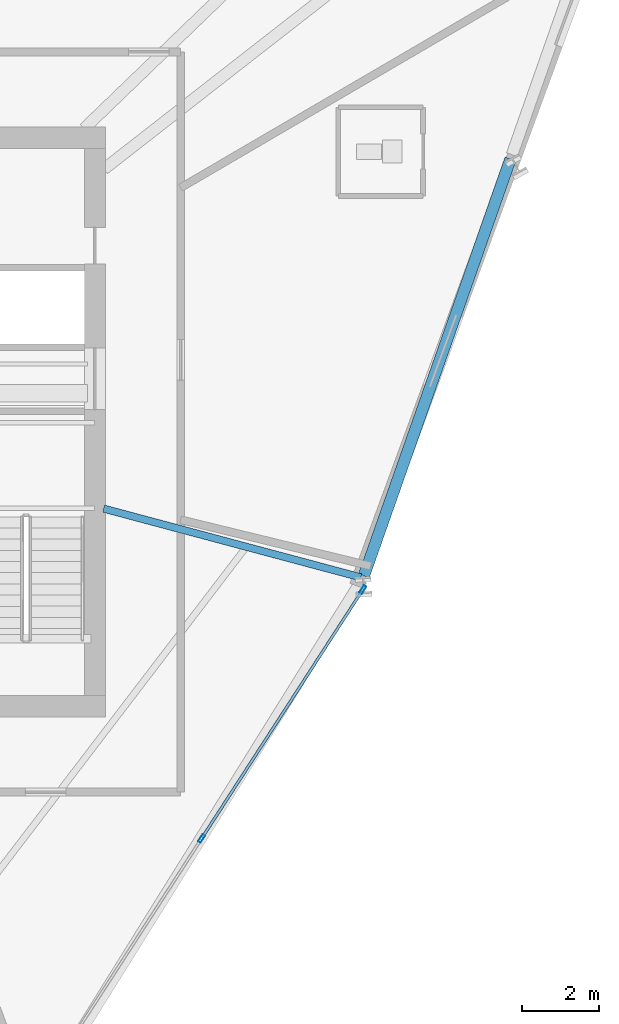
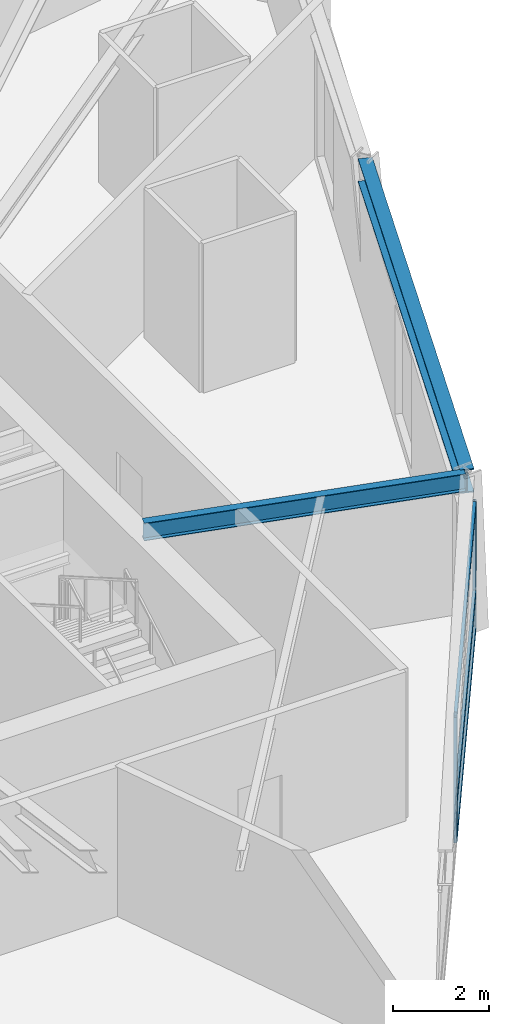
# One storey, part 5 of 14: 5 members, 2 beams, 1 element without a shape of its own.
"""IFC4 building model written with IfcOpenShell, lengths in metres."""

from ifc_helpers import new_model, si_unit, direction, frame, origin, origin_2d, place, context, subcontext, project, spatial, hollow_rectangle, i_section, extrude, source, transform, mapped, material, material_profile, profile_set, type_object, element, aggregate, save


model = new_model("IFC4")

# Units and contexts
model_context = context("Model", 3, precision=1e-05, world=origin(), true_north=direction((0.0, 1.0)))
body_context = subcontext(model_context, "Body", "Model", "MODEL_VIEW")
ifc_project = project(units=[si_unit("LENGTHUNIT", "METRE"), si_unit("AREAUNIT", "SQUARE_METRE"), si_unit("VOLUMEUNIT", "CUBIC_METRE"), si_unit("PLANEANGLEUNIT", "RADIAN"), si_unit("MASSUNIT", "GRAM", prefix="KILO")], contexts=[model_context])

# Site, building, storey
site_placement = place(None, origin())
site = spatial("IfcSite", under=ifc_project, at=site_placement, CompositionType="ELEMENT")
building_placement = place(site_placement, origin())
building = spatial("IfcBuilding", under=site, at=building_placement, Name="Olszyna Solenne Hotel", CompositionType="ELEMENT")
storey_placement = place(building_placement, frame((0.0, 0.0, 196.300048828125)))
storey = spatial("IfcBuildingStorey", under=building, at=storey_placement, Name="L52", CompositionType="ELEMENT", Elevation=196.300048828125)

# Beams
ifc_material_1 = material(Name="Steel S355J2", Category="steel")
ifc_material_profile_1 = material_profile(ifc_material_1, i_section(OverallWidth=0.300048828125, OverallDepth=0.60009765625, WebThickness=0.015380859375, FlangeThickness=0.030029296875, at=origin_2d()), Name="HEB 600", Category="load-bearing")
ifc_profile_set_1 = profile_set([ifc_material_profile_1], Name="Steel S355J2")
beam_type_1 = type_object("IfcBeamType", Name="BM-S2", PredefinedType="BEAM", material=ifc_profile_set_1)
shared_shape_1 = source(origin(), body_context, "Body", "SweptSolid", [
    extrude(i_section(OverallWidth=0.300048828125, OverallDepth=0.60009765625, WebThickness=0.015380859375, FlangeThickness=0.030029296875, at=origin_2d()), origin(), (0.0, 0.0, 1.0), 11.461181640625),
])
beam_1_placement = place(storey_placement, frame((53.154296875, 22.609130859375, 3.47998046875), z_axis=(0.331790374275, 0.943353140419, 0.0), x_axis=(-0.943353140419, 0.331790374275, 0.0)))
element("IfcBeam", 1, at=beam_1_placement, inside=storey, type_object=beam_type_1, Name="Perimeter spandrel beam BM-S2 B-L52-1548", PredefinedType="BEAM", context=body_context, shape_type="MappedRepresentation", body=[
    mapped(shared_shape_1, transform((0.0, 0.0, 0.0), x_axis=(1.0, 0.0, 0.0), y_axis=(0.0, 1.0, 0.0), z_axis=(0.0, 0.0, 1.0), scale=1.0)),
])
ifc_material_profile_2 = material_profile(ifc_material_1, i_section(OverallWidth=0.18994140625, OverallDepth=0.449951171875, WebThickness=0.009521484375, FlangeThickness=0.0146484375, at=origin_2d()), Name="IPE 450", Category="load-bearing")
ifc_profile_set_2 = profile_set([ifc_material_profile_2], Name="Steel S355J2")
beam_type_2 = type_object("IfcBeamType", Name="BM-F4", PredefinedType="BEAM", material=ifc_profile_set_2)
shared_shape_2 = source(origin(), body_context, "Body", "SweptSolid", [
    extrude(i_section(OverallWidth=0.18994140625, OverallDepth=0.449951171875, WebThickness=0.009521484375, FlangeThickness=0.0146484375, at=origin_2d()), origin(), (0.0, 0.0, 1.0), 6.909423828125),
])
beam_2_placement = place(storey_placement, frame((53.076416015625, 22.568115234375, 3.554931640625), z_axis=(-0.966055833063, 0.258333364869, 0.0), x_axis=(-0.258333364869, -0.966055833063, 0.0)))
element("IfcBeam", 2, at=beam_2_placement, inside=storey, type_object=beam_type_2, Name="Radial floor girder BM-F4 B-L52-1557", PredefinedType="BEAM", context=body_context, shape_type="MappedRepresentation", body=[
    mapped(shared_shape_2, transform((0.0, 0.0, 0.0), x_axis=(1.0, 0.0, 0.0), y_axis=(0.0, 1.0, 0.0), z_axis=(0.0, 0.0, 1.0), scale=1.0)),
])

# Curtain wall, members
ifc_material_2 = material(Name="Anodised bronze aluminium", Category="aluminium")
curtain_wall_type = type_object("IfcCurtainWallType", Name="CW-SYS-6", PredefinedType="NOTDEFINED", material=ifc_material_2)
curtain_wall_placement = place(storey_placement, origin())
curtain_wall = element("IfcCurtainWall", 3, at=curtain_wall_placement, inside=storey, type_object=curtain_wall_type, Name="Unitised curtain wall CW-SYS-6 CW-L52-01", PredefinedType="NOTDEFINED")
ifc_material_profile_3 = material_profile(ifc_material_2, hollow_rectangle(XDim=0.080078125, YDim=0.219970703125, WallThickness=0.0048828125, at=origin_2d()), Name="MULL 220x80x5", Category="load-bearing")
ifc_profile_set_3 = profile_set([ifc_material_profile_3], Name="Anodised bronze aluminium")
member_type_1 = type_object("IfcMemberType", Name="CW-M1", PredefinedType="MULLION", material=ifc_profile_set_3)
shared_shape_3 = source(origin(), body_context, "Body", "SweptSolid", [
    extrude(hollow_rectangle(XDim=0.080078125, YDim=0.219970703125, WallThickness=0.0048828125, at=origin_2d()), origin(), (0.0, 0.0, 1.0), 3.171875),
])
member_1_placement = place(storey_placement, frame((48.94482421875, 15.7958984375, 0.0), z_axis=(0.0, 0.0, 1.0), x_axis=(-0.839239744069, 0.543761576405, 0.0)))
member_1 = element("IfcMember", 4, at=member_1_placement, type_object=member_type_1, Name="Curtain-wall mullion CW-M1 CM-L52-01-03", PredefinedType="MULLION", context=body_context, shape_type="MappedRepresentation", body=[
    mapped(shared_shape_3, transform((0.0, 0.0, 0.0), x_axis=(1.0, 0.0, 0.0), y_axis=(0.0, 1.0, 0.0), z_axis=(0.0, 0.0, 1.0), scale=1.0)),
])
member_2_placement = place(storey_placement, frame((53.126953125, 22.25048828125, 0.0), z_axis=(0.0, 0.0, 1.0), x_axis=(-0.839239744069, 0.543761576405, 0.0)))
member_2 = element("IfcMember", 5, at=member_2_placement, type_object=member_type_1, Name="Curtain-wall mullion CW-M1 CM-L52-01-04", PredefinedType="MULLION", context=body_context, shape_type="MappedRepresentation", body=[
    mapped(shared_shape_3, transform((0.0, 0.0, 0.0), x_axis=(1.0, 0.0, 0.0), y_axis=(0.0, 1.0, 0.0), z_axis=(0.0, 0.0, 1.0), scale=1.0)),
])
ifc_material_profile_4 = material_profile(ifc_material_2, hollow_rectangle(XDim=0.074951171875, YDim=0.159912109375, WallThickness=0.00390625, at=origin_2d()), Name="TRAN 160x75x4", Category="load-bearing")
ifc_profile_set_4 = profile_set([ifc_material_profile_4], Name="Anodised bronze aluminium")
member_type_2 = type_object("IfcMemberType", Name="CW-T1", PredefinedType="USERDEFINED", material=ifc_profile_set_4)
shared_shape_4 = source(origin(), body_context, "Body", "SweptSolid", [
    extrude(hollow_rectangle(XDim=0.074951171875, YDim=0.159912109375, WallThickness=0.00390625, at=origin_2d()), origin(), (0.0, 0.0, 1.0), 7.611328125),
])
member_3_placement = place(storey_placement, frame((48.966552734375, 15.829345703125, 0.037353515625), z_axis=(0.54375657624, 0.839242983763, 0.0), x_axis=(-0.839242983763, 0.54375657624, 0.0)))
member_3 = element("IfcMember", 6, at=member_3_placement, type_object=member_type_2, Name="Curtain-wall transom CW-T1 CT-L52-01-07", ObjectType="TRANSOM", PredefinedType="USERDEFINED", context=body_context, shape_type="MappedRepresentation", body=[
    mapped(shared_shape_4, transform((0.0, 0.0, 0.0), x_axis=(1.0, 0.0, 0.0), y_axis=(0.0, 1.0, 0.0), z_axis=(0.0, 0.0, 1.0), scale=1.0)),
])
member_4_placement = place(storey_placement, frame((48.966552734375, 15.829345703125, 0.949951171875), z_axis=(0.54375657624, 0.839242983763, 0.0), x_axis=(-0.839242983763, 0.54375657624, 0.0)))
member_4 = element("IfcMember", 7, at=member_4_placement, type_object=member_type_2, Name="Curtain-wall transom CW-T1 CT-L52-01-08", ObjectType="TRANSOM", PredefinedType="USERDEFINED", context=body_context, shape_type="MappedRepresentation", body=[
    mapped(shared_shape_4, transform((0.0, 0.0, 0.0), x_axis=(1.0, 0.0, 0.0), y_axis=(0.0, 1.0, 0.0), z_axis=(0.0, 0.0, 1.0), scale=1.0)),
])
member_5_placement = place(storey_placement, frame((48.966552734375, 15.829345703125, 3.134521484375), z_axis=(0.54375657624, 0.839242983763, 0.0), x_axis=(-0.839242983763, 0.54375657624, 0.0)))
member_5 = element("IfcMember", 8, at=member_5_placement, type_object=member_type_2, Name="Curtain-wall transom CW-T1 CT-L52-01-09", ObjectType="TRANSOM", PredefinedType="USERDEFINED", context=body_context, shape_type="MappedRepresentation", body=[
    mapped(shared_shape_4, transform((0.0, 0.0, 0.0), x_axis=(1.0, 0.0, 0.0), y_axis=(0.0, 1.0, 0.0), z_axis=(0.0, 0.0, 1.0), scale=1.0)),
])
aggregate(curtain_wall, [member_1, member_2, member_3, member_4, member_5])

save(model, "model.ifc")
